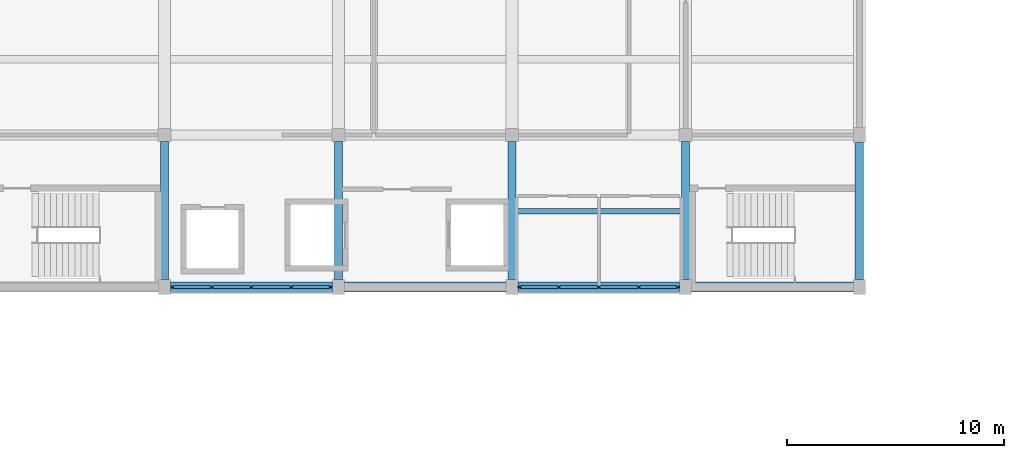
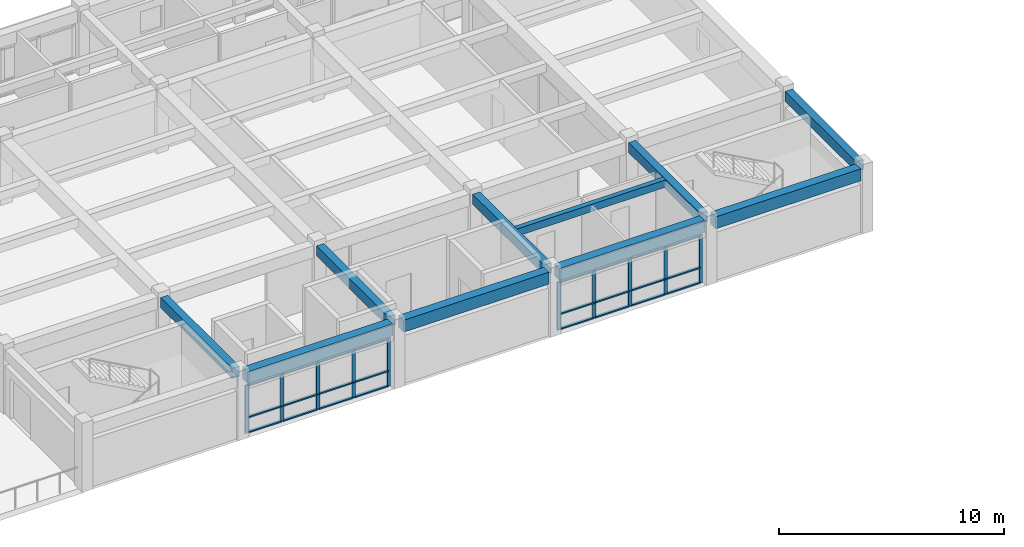
# One storey, part 2 of 10: 34 members, 10 beams, 2 elements without a shape of their own.
"""IFC4 building model written with IfcOpenShell, lengths in metres."""

from ifc_helpers import new_model, si_unit, direction, frame, origin, origin_2d, place, context, subcontext, project, spatial, rectangle, extrude, material, layer, layer_set, material_profile, profile_set, type_object, element, aggregate, save


model = new_model("IFC4")

# Units and contexts
model_context = context("Model", 3, precision=1e-05, world=origin(), true_north=direction((0.0, 1.0)))
body_context = subcontext(model_context, "Body", "Model", "MODEL_VIEW")
ifc_project = project(units=[si_unit("LENGTHUNIT", "METRE"), si_unit("AREAUNIT", "SQUARE_METRE"), si_unit("VOLUMEUNIT", "CUBIC_METRE"), si_unit("PLANEANGLEUNIT", "RADIAN"), si_unit("MASSUNIT", "GRAM", prefix="KILO")], contexts=[model_context])

# Site, building, storey
site_placement = place(None, origin())
site = spatial("IfcSite", under=ifc_project, at=site_placement, CompositionType="ELEMENT")
building_placement = place(site_placement, origin())
building = spatial("IfcBuilding", under=site, at=building_placement, Name="Naurynzar Civic Courthouse", CompositionType="ELEMENT")
storey_placement = place(building_placement, frame((0.0, 0.0, 33.300048828125)))
storey = spatial("IfcBuildingStorey", under=building, at=storey_placement, Name="L09", CompositionType="ELEMENT", Elevation=33.300048828125)

# Beams
ifc_material_1 = material(Name="Concrete C40/50", Category="concrete")
ifc_material_profile_1 = material_profile(ifc_material_1, rectangle(XDim=0.25, YDim=0.39990234375, at=origin_2d()), Name="RCB 250x400")
ifc_profile_set_1 = profile_set([ifc_material_profile_1], Name="Concrete C40/50")
beam_type_1 = type_object("IfcBeamType", Name="BM-JST-250x400", PredefinedType="JOIST", material=ifc_profile_set_1)
beam_1_placement = place(storey_placement, frame((93.1875, 47.5, 3.27001953125), z_axis=(1.0, 0.0, 0.0), x_axis=(0.0, 1.0, 0.0)))
element("IfcBeam", 1, at=beam_1_placement, inside=storey, type_object=beam_type_1, Name="V2 secondary rib 1108 L09", PredefinedType="JOIST", context=body_context, shape_type="SweptSolid", body=[
    extrude(rectangle(XDim=0.25, YDim=0.39990234375, at=origin_2d()), origin(), (0.0, 0.0, 1.0), 7.625),
])
ifc_material_2 = material(Name="Concrete C40/50", Category="concrete")
ifc_material_profile_2 = material_profile(ifc_material_2, rectangle(XDim=0.375, YDim=0.550048828125, at=origin_2d()), Name="RCB 375x550")
ifc_profile_set_2 = profile_set([ifc_material_profile_2], Name="Concrete C40/50")
beam_type_2 = type_object("IfcBeamType", Name="BM-RC-375x550", PredefinedType="BEAM", material=ifc_profile_set_2)
for number, where, z_axis, x_axis, name in (
    (2, (77.0, 44.35009765625, 3.195068359375), (0.0, 1.0, 0.0), (-1.0, 0.0, 0.0), "V2 girder Y-1093 L09"),
    (3, (85.0, 44.35009765625, 3.195068359375), (0.0, 1.0, 0.0), (-1.0, 0.0, 0.0), "V2 girder Y-1096 L09"),
    (4, (93.0, 44.35009765625, 3.195068359375), (0.0, 1.0, 0.0), (-1.0, 0.0, 0.0), "V2 girder Y-1099 L09"),
    (5, (101.0, 44.35009765625, 3.195068359375), (0.0, 1.0, 0.0), (-1.0, 0.0, 0.0), "V2 girder Y-1102 L09"),
):
    element("IfcBeam", number, at=place(storey_placement, frame(where, z_axis=z_axis, x_axis=x_axis)), inside=storey, type_object=beam_type_2, Name=name, PredefinedType="BEAM", context=body_context, shape_type="SweptSolid", body=[
        extrude(rectangle(XDim=0.375, YDim=0.550048828125, at=origin_2d()), origin(), (0.0, 0.0, 1.0), 6.349853515625),
    ])
beam_2_placement = place(storey_placement, frame((109.0, 44.35009765625, 3.195068359375), z_axis=(0.0, 1.0, 0.0), x_axis=(-1.0, 0.0, 0.0)))
element("IfcBeam", 6, at=beam_2_placement, inside=storey, type_object=beam_type_2, Name="V2 girder Y-1105 L09", PredefinedType="BEAM", context=body_context, shape_type="SweptSolid", body=[
    extrude(rectangle(XDim=0.375, YDim=0.550048828125, at=origin_2d()), origin(), (0.0, 0.0, 1.0), 6.2998046875),
])
ifc_material_3 = material(Name="Concrete C40/50", Category="concrete")
ifc_material_profile_3 = material_profile(ifc_material_3, rectangle(XDim=0.449951171875, YDim=0.64990234375, at=origin_2d()), Name="RCB 450x650")
ifc_profile_set_3 = profile_set([ifc_material_profile_3], Name="Concrete C40/50")
beam_type_3 = type_object("IfcBeamType", Name="BM-RC-450x650", PredefinedType="BEAM", material=ifc_profile_set_3)
for number, where, z_axis, x_axis, name in (
    (7, (77.27490234375, 44.0, 3.14501953125), (1.0, 0.0, 0.0), (0.0, 1.0, 0.0), "V2 beam X-1071 L09"),
    (8, (85.27490234375, 44.0, 3.14501953125), (1.0, 0.0, 0.0), (0.0, 1.0, 0.0), "V2 beam X-1072 L09"),
    (9, (93.27490234375, 44.0, 3.14501953125), (1.0, 0.0, 0.0), (0.0, 1.0, 0.0), "V2 beam X-1073 L09"),
    (10, (101.27490234375, 44.0, 3.14501953125), (1.0, 0.0, 0.0), (0.0, 1.0, 0.0), "V2 beam X-1074 L09"),
):
    element("IfcBeam", number, at=place(storey_placement, frame(where, z_axis=z_axis, x_axis=x_axis)), inside=storey, type_object=beam_type_3, Name=name, PredefinedType="BEAM", context=body_context, shape_type="SweptSolid", body=[
        extrude(rectangle(XDim=0.449951171875, YDim=0.64990234375, at=origin_2d()), origin(), (0.0, 0.0, 1.0), 7.4501953125),
    ])

# Curtain wall, members
ifc_material_4 = material(Name="Aluminium 6063-T6", Category="aluminium")
ifc_layer = layer(ifc_material_4, 0.159912109375)
ifc_layer_set = layer_set([ifc_layer], Name="CW-UNIT-1800")
curtain_wall_type = type_object("IfcCurtainWallType", Name="CW-UNIT-1800", PredefinedType="NOTDEFINED", material=ifc_layer_set)
curtain_wall_1_placement = place(storey_placement, origin())
curtain_wall_1 = element("IfcCurtainWall", 11, at=curtain_wall_1_placement, inside=storey, type_object=curtain_wall_type, Name="V2 unitised curtain wall 59 L09", PredefinedType="NOTDEFINED")
ifc_material_5 = material(Name="Aluminium 6063-T6", Category="aluminium")
ifc_material_profile_4 = material_profile(ifc_material_5, rectangle(XDim=0.070068359375, YDim=0.179931640625, at=origin_2d()), Name="ALU MULLION 70x180")
ifc_profile_set_4 = profile_set([ifc_material_profile_4], Name="Aluminium 6063-T6")
member_type_1 = type_object("IfcMemberType", Name="CWM-70x180", PredefinedType="MULLION", material=ifc_profile_set_4)
member_1_placement = place(storey_placement, frame((100.639892578125, 44.0, 0.0), z_axis=(0.0, 0.0, 1.0), x_axis=(0.0, -1.0, 0.0)))
member_1 = element("IfcMember", 12, at=member_1_placement, type_object=member_type_1, Name="CW-02 mullion 1", PredefinedType="MULLION", context=body_context, shape_type="SweptSolid", body=[
    extrude(rectangle(XDim=0.070068359375, YDim=0.179931640625, at=origin_2d()), origin(), (0.0, 0.0, 1.0), 2.599853515625),
])
member_2_placement = place(storey_placement, frame((98.83740234375, 44.0, 0.0), z_axis=(0.0, 0.0, 1.0), x_axis=(0.0, -1.0, 0.0)))
member_2 = element("IfcMember", 13, at=member_2_placement, type_object=member_type_1, Name="CW-02 mullion 2", PredefinedType="MULLION", context=body_context, shape_type="SweptSolid", body=[
    extrude(rectangle(XDim=0.070068359375, YDim=0.179931640625, at=origin_2d()), origin(), (0.0, 0.0, 1.0), 2.599853515625),
])
member_3_placement = place(storey_placement, frame((97.0, 44.0, 0.0), z_axis=(0.0, 0.0, 1.0), x_axis=(0.0, -1.0, 0.0)))
member_3 = element("IfcMember", 14, at=member_3_placement, type_object=member_type_1, Name="CW-02 mullion 3", PredefinedType="MULLION", context=body_context, shape_type="SweptSolid", body=[
    extrude(rectangle(XDim=0.070068359375, YDim=0.179931640625, at=origin_2d()), origin(), (0.0, 0.0, 1.0), 2.599853515625),
])
member_4_placement = place(storey_placement, frame((95.16259765625, 44.0, 0.0), z_axis=(0.0, 0.0, 1.0), x_axis=(0.0, -1.0, 0.0)))
member_4 = element("IfcMember", 15, at=member_4_placement, type_object=member_type_1, Name="CW-02 mullion 4", PredefinedType="MULLION", context=body_context, shape_type="SweptSolid", body=[
    extrude(rectangle(XDim=0.070068359375, YDim=0.179931640625, at=origin_2d()), origin(), (0.0, 0.0, 1.0), 2.599853515625),
])
member_5_placement = place(storey_placement, frame((93.360107421875, 44.0, 0.0), z_axis=(0.0, 0.0, 1.0), x_axis=(0.0, -1.0, 0.0)))
member_5 = element("IfcMember", 16, at=member_5_placement, type_object=member_type_1, Name="CW-02 mullion 5", PredefinedType="MULLION", context=body_context, shape_type="SweptSolid", body=[
    extrude(rectangle(XDim=0.070068359375, YDim=0.179931640625, at=origin_2d()), origin(), (0.0, 0.0, 1.0), 2.599853515625),
])

curtain_wall_2_placement = place(storey_placement, origin())
curtain_wall_2 = element("IfcCurtainWall", 17, at=curtain_wall_2_placement, inside=storey, type_object=curtain_wall_type, Name="V2 unitised curtain wall 60 L09", PredefinedType="NOTDEFINED")
member_6_placement = place(storey_placement, frame((84.639892578125, 44.0, 0.0), z_axis=(0.0, 0.0, 1.0), x_axis=(0.0, -1.0, 0.0)))
member_6 = element("IfcMember", 18, at=member_6_placement, type_object=member_type_1, Name="CW-02 mullion 1", PredefinedType="MULLION", context=body_context, shape_type="SweptSolid", body=[
    extrude(rectangle(XDim=0.070068359375, YDim=0.179931640625, at=origin_2d()), origin(), (0.0, 0.0, 1.0), 2.599853515625),
])
member_7_placement = place(storey_placement, frame((82.83740234375, 44.0, 0.0), z_axis=(0.0, 0.0, 1.0), x_axis=(0.0, -1.0, 0.0)))
member_7 = element("IfcMember", 19, at=member_7_placement, type_object=member_type_1, Name="CW-02 mullion 2", PredefinedType="MULLION", context=body_context, shape_type="SweptSolid", body=[
    extrude(rectangle(XDim=0.070068359375, YDim=0.179931640625, at=origin_2d()), origin(), (0.0, 0.0, 1.0), 2.599853515625),
])
member_8_placement = place(storey_placement, frame((81.0, 44.0, 0.0), z_axis=(0.0, 0.0, 1.0), x_axis=(0.0, -1.0, 0.0)))
member_8 = element("IfcMember", 20, at=member_8_placement, type_object=member_type_1, Name="CW-02 mullion 3", PredefinedType="MULLION", context=body_context, shape_type="SweptSolid", body=[
    extrude(rectangle(XDim=0.070068359375, YDim=0.179931640625, at=origin_2d()), origin(), (0.0, 0.0, 1.0), 2.599853515625),
])
member_9_placement = place(storey_placement, frame((79.16259765625, 44.0, 0.0), z_axis=(0.0, 0.0, 1.0), x_axis=(0.0, -1.0, 0.0)))
member_9 = element("IfcMember", 21, at=member_9_placement, type_object=member_type_1, Name="CW-02 mullion 4", PredefinedType="MULLION", context=body_context, shape_type="SweptSolid", body=[
    extrude(rectangle(XDim=0.070068359375, YDim=0.179931640625, at=origin_2d()), origin(), (0.0, 0.0, 1.0), 2.599853515625),
])
member_10_placement = place(storey_placement, frame((77.360107421875, 44.0, 0.0), z_axis=(0.0, 0.0, 1.0), x_axis=(0.0, -1.0, 0.0)))
member_10 = element("IfcMember", 22, at=member_10_placement, type_object=member_type_1, Name="CW-02 mullion 5", PredefinedType="MULLION", context=body_context, shape_type="SweptSolid", body=[
    extrude(rectangle(XDim=0.070068359375, YDim=0.179931640625, at=origin_2d()), origin(), (0.0, 0.0, 1.0), 2.599853515625),
])

# Member
ifc_material_6 = material(Name="Aluminium 6063-T6", Category="aluminium")
ifc_material_profile_5 = material_profile(ifc_material_6, rectangle(XDim=0.1298828125, YDim=0.070068359375, at=origin_2d()), Name="ALU TRANSOM 70x130")
ifc_profile_set_5 = profile_set([ifc_material_profile_5], Name="Aluminium 6063-T6")
member_type_2 = type_object("IfcMemberType", Name="CWT-70x130", PredefinedType="USERDEFINED", material=ifc_profile_set_5)
member_11_placement = place(storey_placement, frame((100.60498046875, 44.0, 0.034912109375), z_axis=(-1.0, 0.0, 0.0), x_axis=(0.0, -1.0, 0.0)))
member_11 = element("IfcMember", 23, at=member_11_placement, type_object=member_type_2, Name="CW-02 transom 1.1", ObjectType="TRANSOM", PredefinedType="USERDEFINED", context=body_context, shape_type="SweptSolid", body=[
    extrude(rectangle(XDim=0.1298828125, YDim=0.070068359375, at=origin_2d()), origin(), (0.0, 0.0, 1.0), 1.732421875),
])

member_12_placement = place(storey_placement, frame((100.60498046875, 44.0, 0.849853515625), z_axis=(-1.0, 0.0, 0.0), x_axis=(0.0, -1.0, 0.0)))
member_12 = element("IfcMember", 24, at=member_12_placement, type_object=member_type_2, Name="CW-02 transom 1.2", ObjectType="TRANSOM", PredefinedType="USERDEFINED", context=body_context, shape_type="SweptSolid", body=[
    extrude(rectangle(XDim=0.1298828125, YDim=0.070068359375, at=origin_2d()), origin(), (0.0, 0.0, 1.0), 1.732421875),
])

member_13_placement = place(storey_placement, frame((100.60498046875, 44.0, 2.56494140625), z_axis=(-1.0, 0.0, 0.0), x_axis=(0.0, -1.0, 0.0)))
member_13 = element("IfcMember", 25, at=member_13_placement, type_object=member_type_2, Name="CW-02 transom 1.3", ObjectType="TRANSOM", PredefinedType="USERDEFINED", context=body_context, shape_type="SweptSolid", body=[
    extrude(rectangle(XDim=0.1298828125, YDim=0.070068359375, at=origin_2d()), origin(), (0.0, 0.0, 1.0), 1.732421875),
])

member_14_placement = place(storey_placement, frame((98.802490234375, 44.0, 0.034912109375), z_axis=(-1.0, 0.0, 0.0), x_axis=(0.0, -1.0, 0.0)))
member_14 = element("IfcMember", 26, at=member_14_placement, type_object=member_type_2, Name="CW-02 transom 2.1", ObjectType="TRANSOM", PredefinedType="USERDEFINED", context=body_context, shape_type="SweptSolid", body=[
    extrude(rectangle(XDim=0.1298828125, YDim=0.070068359375, at=origin_2d()), origin(), (0.0, 0.0, 1.0), 1.767578125),
])

member_15_placement = place(storey_placement, frame((98.802490234375, 44.0, 0.849853515625), z_axis=(-1.0, 0.0, 0.0), x_axis=(0.0, -1.0, 0.0)))
member_15 = element("IfcMember", 27, at=member_15_placement, type_object=member_type_2, Name="CW-02 transom 2.2", ObjectType="TRANSOM", PredefinedType="USERDEFINED", context=body_context, shape_type="SweptSolid", body=[
    extrude(rectangle(XDim=0.1298828125, YDim=0.070068359375, at=origin_2d()), origin(), (0.0, 0.0, 1.0), 1.767578125),
])

member_16_placement = place(storey_placement, frame((98.802490234375, 44.0, 2.56494140625), z_axis=(-1.0, 0.0, 0.0), x_axis=(0.0, -1.0, 0.0)))
member_16 = element("IfcMember", 28, at=member_16_placement, type_object=member_type_2, Name="CW-02 transom 2.3", ObjectType="TRANSOM", PredefinedType="USERDEFINED", context=body_context, shape_type="SweptSolid", body=[
    extrude(rectangle(XDim=0.1298828125, YDim=0.070068359375, at=origin_2d()), origin(), (0.0, 0.0, 1.0), 1.767578125),
])

member_17_placement = place(storey_placement, frame((96.965087890625, 44.0, 0.034912109375), z_axis=(-1.0, 0.0, 0.0), x_axis=(0.0, -1.0, 0.0)))
member_17 = element("IfcMember", 29, at=member_17_placement, type_object=member_type_2, Name="CW-02 transom 3.1", ObjectType="TRANSOM", PredefinedType="USERDEFINED", context=body_context, shape_type="SweptSolid", body=[
    extrude(rectangle(XDim=0.1298828125, YDim=0.070068359375, at=origin_2d()), origin(), (0.0, 0.0, 1.0), 1.767578125),
])

member_18_placement = place(storey_placement, frame((96.965087890625, 44.0, 0.849853515625), z_axis=(-1.0, 0.0, 0.0), x_axis=(0.0, -1.0, 0.0)))
member_18 = element("IfcMember", 30, at=member_18_placement, type_object=member_type_2, Name="CW-02 transom 3.2", ObjectType="TRANSOM", PredefinedType="USERDEFINED", context=body_context, shape_type="SweptSolid", body=[
    extrude(rectangle(XDim=0.1298828125, YDim=0.070068359375, at=origin_2d()), origin(), (0.0, 0.0, 1.0), 1.767578125),
])

member_19_placement = place(storey_placement, frame((96.965087890625, 44.0, 2.56494140625), z_axis=(-1.0, 0.0, 0.0), x_axis=(0.0, -1.0, 0.0)))
member_19 = element("IfcMember", 31, at=member_19_placement, type_object=member_type_2, Name="CW-02 transom 3.3", ObjectType="TRANSOM", PredefinedType="USERDEFINED", context=body_context, shape_type="SweptSolid", body=[
    extrude(rectangle(XDim=0.1298828125, YDim=0.070068359375, at=origin_2d()), origin(), (0.0, 0.0, 1.0), 1.767578125),
])

member_20_placement = place(storey_placement, frame((95.12744140625, 44.0, 0.034912109375), z_axis=(-1.0, 0.0, 0.0), x_axis=(0.0, -1.0, 0.0)))
member_20 = element("IfcMember", 32, at=member_20_placement, type_object=member_type_2, Name="CW-02 transom 4.1", ObjectType="TRANSOM", PredefinedType="USERDEFINED", context=body_context, shape_type="SweptSolid", body=[
    extrude(rectangle(XDim=0.1298828125, YDim=0.070068359375, at=origin_2d()), origin(), (0.0, 0.0, 1.0), 1.732421875),
])

member_21_placement = place(storey_placement, frame((95.12744140625, 44.0, 0.849853515625), z_axis=(-1.0, 0.0, 0.0), x_axis=(0.0, -1.0, 0.0)))
member_21 = element("IfcMember", 33, at=member_21_placement, type_object=member_type_2, Name="CW-02 transom 4.2", ObjectType="TRANSOM", PredefinedType="USERDEFINED", context=body_context, shape_type="SweptSolid", body=[
    extrude(rectangle(XDim=0.1298828125, YDim=0.070068359375, at=origin_2d()), origin(), (0.0, 0.0, 1.0), 1.732421875),
])

member_22_placement = place(storey_placement, frame((95.12744140625, 44.0, 2.56494140625), z_axis=(-1.0, 0.0, 0.0), x_axis=(0.0, -1.0, 0.0)))
member_22 = element("IfcMember", 34, at=member_22_placement, type_object=member_type_2, Name="CW-02 transom 4.3", ObjectType="TRANSOM", PredefinedType="USERDEFINED", context=body_context, shape_type="SweptSolid", body=[
    extrude(rectangle(XDim=0.1298828125, YDim=0.070068359375, at=origin_2d()), origin(), (0.0, 0.0, 1.0), 1.732421875),
])

aggregate(curtain_wall_1, [member_1, member_2, member_3, member_4, member_5, member_11, member_12, member_13, member_14, member_15, member_16, member_17, member_18, member_19, member_20, member_21, member_22])

member_23_placement = place(storey_placement, frame((84.60498046875, 44.0, 0.034912109375), z_axis=(-1.0, 0.0, 0.0), x_axis=(0.0, -1.0, 0.0)))
member_23 = element("IfcMember", 35, at=member_23_placement, type_object=member_type_2, Name="CW-02 transom 1.1", ObjectType="TRANSOM", PredefinedType="USERDEFINED", context=body_context, shape_type="SweptSolid", body=[
    extrude(rectangle(XDim=0.1298828125, YDim=0.070068359375, at=origin_2d()), origin(), (0.0, 0.0, 1.0), 1.732421875),
])

member_24_placement = place(storey_placement, frame((84.60498046875, 44.0, 0.849853515625), z_axis=(-1.0, 0.0, 0.0), x_axis=(0.0, -1.0, 0.0)))
member_24 = element("IfcMember", 36, at=member_24_placement, type_object=member_type_2, Name="CW-02 transom 1.2", ObjectType="TRANSOM", PredefinedType="USERDEFINED", context=body_context, shape_type="SweptSolid", body=[
    extrude(rectangle(XDim=0.1298828125, YDim=0.070068359375, at=origin_2d()), origin(), (0.0, 0.0, 1.0), 1.732421875),
])

member_25_placement = place(storey_placement, frame((84.60498046875, 44.0, 2.56494140625), z_axis=(-1.0, 0.0, 0.0), x_axis=(0.0, -1.0, 0.0)))
member_25 = element("IfcMember", 37, at=member_25_placement, type_object=member_type_2, Name="CW-02 transom 1.3", ObjectType="TRANSOM", PredefinedType="USERDEFINED", context=body_context, shape_type="SweptSolid", body=[
    extrude(rectangle(XDim=0.1298828125, YDim=0.070068359375, at=origin_2d()), origin(), (0.0, 0.0, 1.0), 1.732421875),
])

member_26_placement = place(storey_placement, frame((82.802490234375, 44.0, 0.034912109375), z_axis=(-1.0, 0.0, 0.0), x_axis=(0.0, -1.0, 0.0)))
member_26 = element("IfcMember", 38, at=member_26_placement, type_object=member_type_2, Name="CW-02 transom 2.1", ObjectType="TRANSOM", PredefinedType="USERDEFINED", context=body_context, shape_type="SweptSolid", body=[
    extrude(rectangle(XDim=0.1298828125, YDim=0.070068359375, at=origin_2d()), origin(), (0.0, 0.0, 1.0), 1.767578125),
])

member_27_placement = place(storey_placement, frame((82.802490234375, 44.0, 0.849853515625), z_axis=(-1.0, 0.0, 0.0), x_axis=(0.0, -1.0, 0.0)))
member_27 = element("IfcMember", 39, at=member_27_placement, type_object=member_type_2, Name="CW-02 transom 2.2", ObjectType="TRANSOM", PredefinedType="USERDEFINED", context=body_context, shape_type="SweptSolid", body=[
    extrude(rectangle(XDim=0.1298828125, YDim=0.070068359375, at=origin_2d()), origin(), (0.0, 0.0, 1.0), 1.767578125),
])

member_28_placement = place(storey_placement, frame((82.802490234375, 44.0, 2.56494140625), z_axis=(-1.0, 0.0, 0.0), x_axis=(0.0, -1.0, 0.0)))
member_28 = element("IfcMember", 40, at=member_28_placement, type_object=member_type_2, Name="CW-02 transom 2.3", ObjectType="TRANSOM", PredefinedType="USERDEFINED", context=body_context, shape_type="SweptSolid", body=[
    extrude(rectangle(XDim=0.1298828125, YDim=0.070068359375, at=origin_2d()), origin(), (0.0, 0.0, 1.0), 1.767578125),
])

member_29_placement = place(storey_placement, frame((80.965087890625, 44.0, 0.034912109375), z_axis=(-1.0, 0.0, 0.0), x_axis=(0.0, -1.0, 0.0)))
member_29 = element("IfcMember", 41, at=member_29_placement, type_object=member_type_2, Name="CW-02 transom 3.1", ObjectType="TRANSOM", PredefinedType="USERDEFINED", context=body_context, shape_type="SweptSolid", body=[
    extrude(rectangle(XDim=0.1298828125, YDim=0.070068359375, at=origin_2d()), origin(), (0.0, 0.0, 1.0), 1.767578125),
])

member_30_placement = place(storey_placement, frame((80.965087890625, 44.0, 0.849853515625), z_axis=(-1.0, 0.0, 0.0), x_axis=(0.0, -1.0, 0.0)))
member_30 = element("IfcMember", 42, at=member_30_placement, type_object=member_type_2, Name="CW-02 transom 3.2", ObjectType="TRANSOM", PredefinedType="USERDEFINED", context=body_context, shape_type="SweptSolid", body=[
    extrude(rectangle(XDim=0.1298828125, YDim=0.070068359375, at=origin_2d()), origin(), (0.0, 0.0, 1.0), 1.767578125),
])

member_31_placement = place(storey_placement, frame((80.965087890625, 44.0, 2.56494140625), z_axis=(-1.0, 0.0, 0.0), x_axis=(0.0, -1.0, 0.0)))
member_31 = element("IfcMember", 43, at=member_31_placement, type_object=member_type_2, Name="CW-02 transom 3.3", ObjectType="TRANSOM", PredefinedType="USERDEFINED", context=body_context, shape_type="SweptSolid", body=[
    extrude(rectangle(XDim=0.1298828125, YDim=0.070068359375, at=origin_2d()), origin(), (0.0, 0.0, 1.0), 1.767578125),
])

member_32_placement = place(storey_placement, frame((79.12744140625, 44.0, 0.034912109375), z_axis=(-1.0, 0.0, 0.0), x_axis=(0.0, -1.0, 0.0)))
member_32 = element("IfcMember", 44, at=member_32_placement, type_object=member_type_2, Name="CW-02 transom 4.1", ObjectType="TRANSOM", PredefinedType="USERDEFINED", context=body_context, shape_type="SweptSolid", body=[
    extrude(rectangle(XDim=0.1298828125, YDim=0.070068359375, at=origin_2d()), origin(), (0.0, 0.0, 1.0), 1.732421875),
])

member_33_placement = place(storey_placement, frame((79.12744140625, 44.0, 0.849853515625), z_axis=(-1.0, 0.0, 0.0), x_axis=(0.0, -1.0, 0.0)))
member_33 = element("IfcMember", 45, at=member_33_placement, type_object=member_type_2, Name="CW-02 transom 4.2", ObjectType="TRANSOM", PredefinedType="USERDEFINED", context=body_context, shape_type="SweptSolid", body=[
    extrude(rectangle(XDim=0.1298828125, YDim=0.070068359375, at=origin_2d()), origin(), (0.0, 0.0, 1.0), 1.732421875),
])

member_34_placement = place(storey_placement, frame((79.12744140625, 44.0, 2.56494140625), z_axis=(-1.0, 0.0, 0.0), x_axis=(0.0, -1.0, 0.0)))
member_34 = element("IfcMember", 46, at=member_34_placement, type_object=member_type_2, Name="CW-02 transom 4.3", ObjectType="TRANSOM", PredefinedType="USERDEFINED", context=body_context, shape_type="SweptSolid", body=[
    extrude(rectangle(XDim=0.1298828125, YDim=0.070068359375, at=origin_2d()), origin(), (0.0, 0.0, 1.0), 1.732421875),
])

aggregate(curtain_wall_2, [member_6, member_7, member_8, member_9, member_10, member_23, member_24, member_25, member_26, member_27, member_28, member_29, member_30, member_31, member_32, member_33, member_34])

save(model, "model.ifc")
